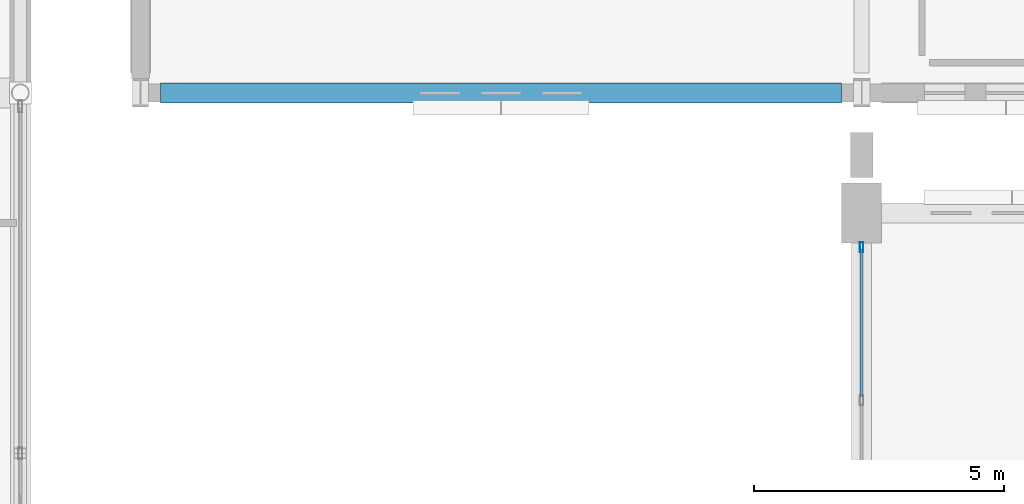
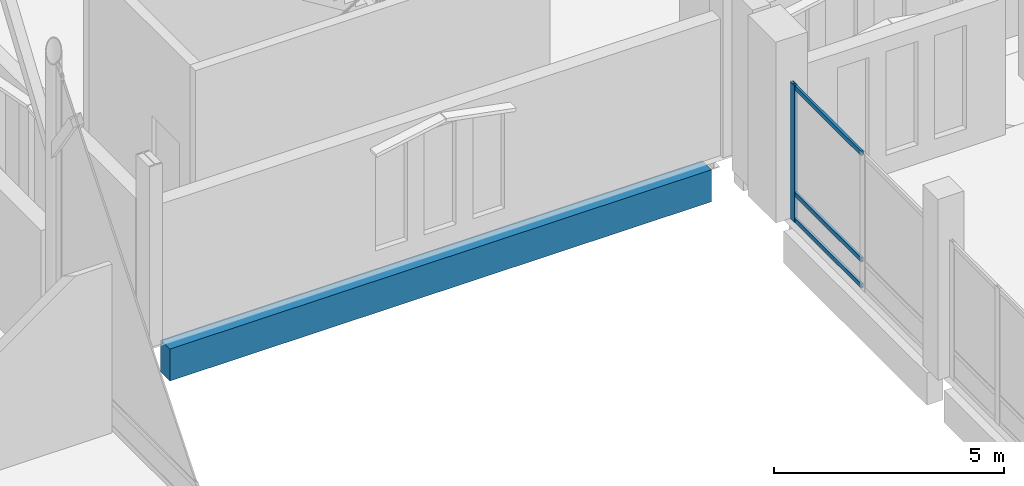
# One storey, part 107 of 220: 4 members, 1 beam, 1 element without a shape of its own.
"""IFC4 building model written with IfcOpenShell, lengths in metres."""

from ifc_helpers import new_model, si_unit, direction, frame, origin, origin_2d, place, context, subcontext, project, spatial, rectangle, hollow_rectangle, extrude, material, material_profile, profile_set, type_object, element, aggregate, save


model = new_model("IFC4")

# Units and contexts
model_context = context("Model", 3, precision=1e-05, world=origin(), true_north=direction((0.0, 1.0)))
body_context = subcontext(model_context, "Body", "Model", "MODEL_VIEW")
ifc_project = project(units=[si_unit("LENGTHUNIT", "METRE"), si_unit("AREAUNIT", "SQUARE_METRE"), si_unit("VOLUMEUNIT", "CUBIC_METRE"), si_unit("PLANEANGLEUNIT", "RADIAN"), si_unit("MASSUNIT", "GRAM", prefix="KILO")], contexts=[model_context])

# Site, building, storey
site_placement = place(None, origin())
site = spatial("IfcSite", under=ifc_project, at=site_placement, CompositionType="ELEMENT")
building_placement = place(site_placement, origin())
building = spatial("IfcBuilding", under=site, at=building_placement, Name="Cendralis Lancet Convention Centre", CompositionType="ELEMENT")
storey_placement = place(building_placement, frame((0.0, 0.0, 5.39990234375)))
storey = spatial("IfcBuildingStorey", under=building, at=storey_placement, Name="L01", CompositionType="ELEMENT", Elevation=5.39990234375)

# Curtain wall, members
ifc_material_1 = material(Name="Anodised bronze architectural aluminium", Category="aluminium")
curtain_wall_type = type_object("IfcCurtainWallType", Name="ARC-CW-PL01", PredefinedType="USERDEFINED", material=ifc_material_1)
curtain_wall_placement = place(storey_placement, origin())
curtain_wall = element("IfcCurtainWall", 1, at=curtain_wall_placement, inside=storey, type_object=curtain_wall_type, Name="L01 Curtain Wall CW-PL1 #120", ObjectType="CURTAIN WALL", PredefinedType="USERDEFINED")
ifc_material_profile_1 = material_profile(ifc_material_1, hollow_rectangle(XDim=0.070068359375, YDim=0.199951171875, WallThickness=0.0048828125, at=origin_2d()), Name="AL-MULL 70x200x5.0")
ifc_profile_set_1 = profile_set([ifc_material_profile_1], Name="Anodised bronze architectural aluminium")
member_type_1 = type_object("IfcMemberType", Name="ARC-CW-ML02", PredefinedType="MULLION", material=ifc_profile_set_1)
member_1_placement = place(storey_placement, frame((139.199951171875, 90.514892578125, 0.0), z_axis=(0.0, 0.0, 1.0), x_axis=(1.0, 0.0, 0.0)))
member_1 = element("IfcMember", 2, at=member_1_placement, type_object=member_type_1, Name="Mullion CW2-CW-PL1-L01-120-M2", PredefinedType="MULLION", context=body_context, shape_type="SweptSolid", body=[
    extrude(hollow_rectangle(XDim=0.070068359375, YDim=0.199951171875, WallThickness=0.0048828125, at=origin_2d()), origin(), (0.0, 0.0, 1.0), 3.635009765625),
])
ifc_material_profile_2 = material_profile(ifc_material_1, hollow_rectangle(XDim=0.06005859375, YDim=0.1201171875, WallThickness=0.00390625, at=origin_2d()), Name="AL-TRAN 60x120x4.0")
ifc_profile_set_2 = profile_set([ifc_material_profile_2], Name="Anodised bronze architectural aluminium")
member_type_2 = type_object("IfcMemberType", Name="ARC-CW-TR01", PredefinedType="USERDEFINED", material=ifc_profile_set_2)
member_2_placement = place(storey_placement, frame((139.199951171875, 87.532470703125, 0.06005859375), z_axis=(0.0, 1.0, 0.0), x_axis=(-1.0, 0.0, 0.0)))
member_2 = element("IfcMember", 3, at=member_2_placement, type_object=member_type_2, Name="Transom CW2-CW-PL1-L01-120-T1BOT", ObjectType="TRANSOM", PredefinedType="USERDEFINED", context=body_context, shape_type="SweptSolid", body=[
    extrude(hollow_rectangle(XDim=0.06005859375, YDim=0.1201171875, WallThickness=0.00390625, at=origin_2d()), origin(), (0.0, 0.0, 1.0), 2.947509765625),
])
member_3_placement = place(storey_placement, frame((139.199951171875, 87.532470703125, 0.75), z_axis=(0.0, 1.0, 0.0), x_axis=(-1.0, 0.0, 0.0)))
member_3 = element("IfcMember", 4, at=member_3_placement, type_object=member_type_2, Name="Transom CW2-CW-PL1-L01-120-T1MID", ObjectType="TRANSOM", PredefinedType="USERDEFINED", context=body_context, shape_type="SweptSolid", body=[
    extrude(hollow_rectangle(XDim=0.06005859375, YDim=0.1201171875, WallThickness=0.00390625, at=origin_2d()), origin(), (0.0, 0.0, 1.0), 2.947509765625),
])
member_4_placement = place(storey_placement, frame((139.199951171875, 87.532470703125, 3.5751953125), z_axis=(0.0, 1.0, 0.0), x_axis=(-1.0, 0.0, 0.0)))
member_4 = element("IfcMember", 5, at=member_4_placement, type_object=member_type_2, Name="Transom CW2-CW-PL1-L01-120-T1TOP", ObjectType="TRANSOM", PredefinedType="USERDEFINED", context=body_context, shape_type="SweptSolid", body=[
    extrude(hollow_rectangle(XDim=0.06005859375, YDim=0.1201171875, WallThickness=0.00390625, at=origin_2d()), origin(), (0.0, 0.0, 1.0), 2.947509765625),
])
aggregate(curtain_wall, [member_1, member_2, member_3, member_4])

# Beam
ifc_material_2 = material(Name="Concrete G40 (C40/50)", Category="concrete")
ifc_material_profile_3 = material_profile(ifc_material_2, rectangle(XDim=0.39990234375, YDim=0.85009765625, at=origin_2d()), Name="RCB 400x850")
ifc_profile_set_3 = profile_set([ifc_material_profile_3], Name="Concrete G40 (C40/50)")
beam_type = type_object("IfcBeamType", Name="STR-SP-SP02", PredefinedType="SPANDREL", material=ifc_profile_set_3)
beam_placement = place(storey_placement, frame((125.199951171875, 93.60009765625, -0.704833984375), z_axis=(1.0, 0.0, 0.0), x_axis=(0.0, 1.0, 0.0)))
element("IfcBeam", 6, at=beam_placement, inside=storey, type_object=beam_type, Name="L01 Beam SP02 #1639", PredefinedType="SPANDREL", context=body_context, shape_type="SweptSolid", body=[
    extrude(rectangle(XDim=0.39990234375, YDim=0.85009765625, at=origin_2d()), origin(), (0.0, 0.0, 1.0), 13.60009765625),
])

save(model, "model.ifc")
